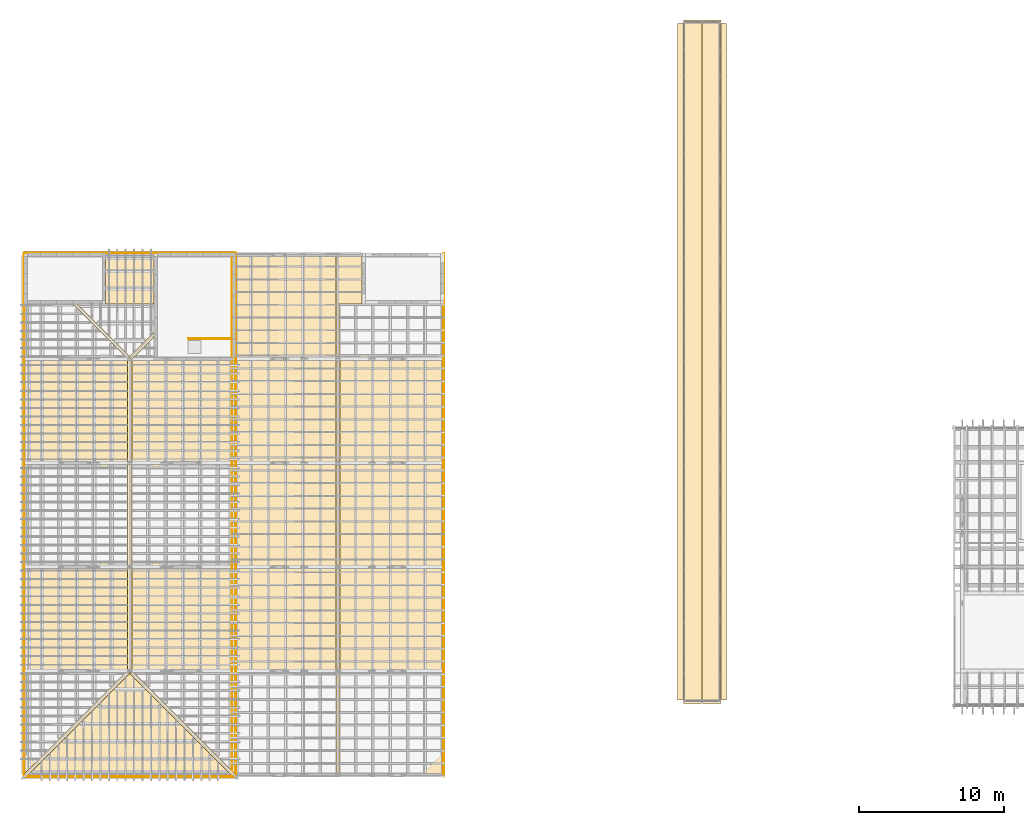
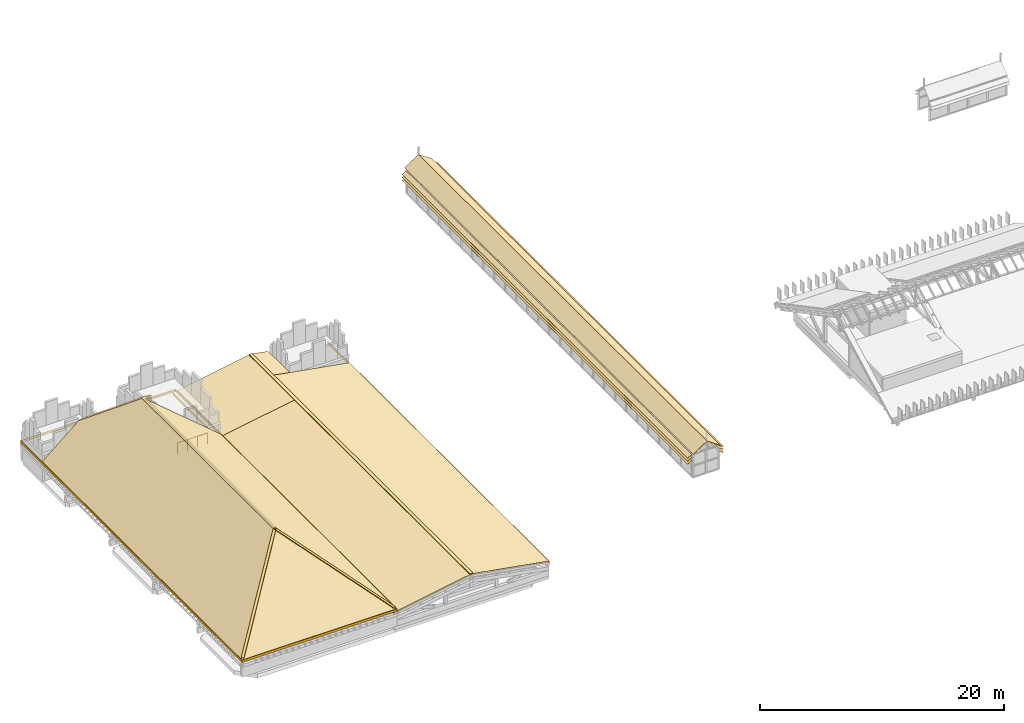
# One storey, part 23 of 28: 28 coverings, 1 railing.
"""IFC4 building model written with IfcOpenShell, lengths in metres."""

from ifc_helpers import new_model, si_unit, direction, frame, origin, origin_2d, place, context, subcontext, project, spatial, polyline, rectangle, circle, outline, extrude, material, layer, layer_set, type_object, element, save


model = new_model("IFC4")

# Units and contexts
model_context = context("Model", 3, precision=1e-05, world=origin(), true_north=direction((0.0, 1.0)))
body_context = subcontext(model_context, "Body", "Model", "MODEL_VIEW")
ifc_project = project(units=[si_unit("LENGTHUNIT", "METRE"), si_unit("AREAUNIT", "SQUARE_METRE"), si_unit("VOLUMEUNIT", "CUBIC_METRE"), si_unit("PLANEANGLEUNIT", "RADIAN"), si_unit("MASSUNIT", "GRAM", prefix="KILO")], contexts=[model_context])

# Site, building, storey
site_placement = place(None, origin())
site = spatial("IfcSite", under=ifc_project, at=site_placement, CompositionType="ELEMENT")
building_placement = place(site_placement, origin())
building = spatial("IfcBuilding", under=site, at=building_placement, Name="Mazhai Court Health Centre", CompositionType="ELEMENT")
storey_placement = place(building_placement, frame((0.0, 0.0, 18.0)))
storey = spatial("IfcBuildingStorey", under=building, at=storey_placement, Name="RF", CompositionType="ELEMENT", Elevation=18.0)

# Coverings
ifc_material_1 = material(Name="Teak timber", Category="wood")
ifc_layer_1 = layer(ifc_material_1, 0.030029296875)
ifc_layer_set_1 = layer_set([ifc_layer_1], Name="LOUVRE BLADE TEAK 30")
covering_type_1 = type_object("IfcCoveringType", Name="LOUVRE BLADE TEAK 30", PredefinedType="CLADDING", material=ifc_layer_set_1)
covering_1_placement = place(storey_placement, frame((51.705078125, 11.39990234375, 3.0791015625), z_axis=(-0.498302158208, 0.0, 0.867003436628), x_axis=(0.0, 1.0, 0.0)))
element("IfcCovering", 1, at=covering_1_placement, inside=storey, type_object=covering_type_1, Name="Lantern louvre V1A1", PredefinedType="CLADDING", context=body_context, shape_type="SweptSolid", body=[
    extrude(outline(polyline([(0.0, 0.0), (46.800048828125, 0.0), (46.800048828125, 0.4615281410316622), (0.0, 0.4615281410316622), (0.0, 0.0)])), origin(), (0.0, 0.0, -1.0), 0.030029296875),
])
covering_2_placement = place(storey_placement, frame((54.294921875, 11.39990234375, 3.0791015625), z_axis=(0.498302158208, 0.0, 0.867003436628), x_axis=(0.0, 1.0, 0.0)))
element("IfcCovering", 2, at=covering_2_placement, inside=storey, type_object=covering_type_1, Name="Lantern louvre V1B1", PredefinedType="CLADDING", context=body_context, shape_type="SweptSolid", body=[
    extrude(outline(polyline([(0.0, 0.0), (46.800048828125, 0.0), (46.800048828125, -0.4615281410316622), (0.0, -0.4615281410316622), (0.0, 0.0)])), origin(), (0.0, 0.0, -1.0), 0.030029296875),
])
covering_3_placement = place(storey_placement, frame((51.705078125, 11.39990234375, 2.779052734375), z_axis=(-0.498302158208, 0.0, 0.867003436628), x_axis=(0.0, 1.0, 0.0)))
element("IfcCovering", 3, at=covering_3_placement, inside=storey, type_object=covering_type_1, Name="Lantern louvre V1A2", PredefinedType="CLADDING", context=body_context, shape_type="SweptSolid", body=[
    extrude(outline(polyline([(0.0, 0.0), (46.800048828125, 0.0), (46.800048828125, 0.4615281410316622), (0.0, 0.4615281410316622), (0.0, 0.0)])), origin(), (0.0, 0.0, -1.0), 0.030029296875),
])
covering_4_placement = place(storey_placement, frame((54.294921875, 11.39990234375, 2.779052734375), z_axis=(0.498302158208, 0.0, 0.867003436628), x_axis=(0.0, 1.0, 0.0)))
element("IfcCovering", 4, at=covering_4_placement, inside=storey, type_object=covering_type_1, Name="Lantern louvre V1B2", PredefinedType="CLADDING", context=body_context, shape_type="SweptSolid", body=[
    extrude(outline(polyline([(0.0, 0.0), (46.800048828125, 0.0), (46.800048828125, -0.4615281410316622), (0.0, -0.4615281410316622), (0.0, 0.0)])), origin(), (0.0, 0.0, -1.0), 0.030029296875),
])
covering_5_placement = place(storey_placement, frame((51.705078125, 11.39990234375, 2.47900390625), z_axis=(-0.498302158208, 0.0, 0.867003436628), x_axis=(0.0, 1.0, 0.0)))
element("IfcCovering", 5, at=covering_5_placement, inside=storey, type_object=covering_type_1, Name="Lantern louvre V1A3", PredefinedType="CLADDING", context=body_context, shape_type="SweptSolid", body=[
    extrude(outline(polyline([(0.0, 0.0), (46.800048828125, 0.0), (46.800048828125, 0.4615281410316622), (0.0, 0.4615281410316622), (0.0, 0.0)])), origin(), (0.0, 0.0, -1.0), 0.030029296875),
])
covering_6_placement = place(storey_placement, frame((54.294921875, 11.39990234375, 2.47900390625), z_axis=(0.498302158208, 0.0, 0.867003436628), x_axis=(0.0, 1.0, 0.0)))
element("IfcCovering", 6, at=covering_6_placement, inside=storey, type_object=covering_type_1, Name="Lantern louvre V1B3", PredefinedType="CLADDING", context=body_context, shape_type="SweptSolid", body=[
    extrude(outline(polyline([(0.0, 0.0), (46.800048828125, 0.0), (46.800048828125, -0.4615281410316622), (0.0, -0.4615281410316622), (0.0, 0.0)])), origin(), (0.0, 0.0, -1.0), 0.030029296875),
])
ifc_material_2 = material(Name="Clay roof tile")
ifc_layer_2 = layer(ifc_material_2, 0.10009765625)
ifc_layer_set_2 = layer_set([ifc_layer_2], Name="ROOFING CLAY ROOF TILE 100")
covering_type_2 = type_object("IfcCoveringType", Name="ROOFING CLAY ROOF TILE 100", PredefinedType="MOLDING", material=ifc_layer_set_2)
covering_7_placement = place(storey_placement, frame((13.39990234375, 24.199951171875, 7.840087890625), z_axis=(0.0, 0.0, 1.0), x_axis=(1.0, 0.0, 0.0)))
element("IfcCovering", 7, at=covering_7_placement, inside=storey, type_object=covering_type_2, Name="Ridge cap RV2-RG1", PredefinedType="MOLDING", context=body_context, shape_type="SweptSolid", body=[
    extrude(rectangle(XDim=0.300048828125, YDim=21.60009765625, at=origin_2d()), origin(), (0.0, 0.0, 1.0), 0.10009765625),
])
ifc_material_3 = material(Name="Larch fascia board", Category="wood")
ifc_layer_3 = layer(ifc_material_3, 0.02490234375)
ifc_layer_set_3 = layer_set([ifc_layer_3], Name="ROOFING CLAY ROOF TILE 25")
covering_type_3 = type_object("IfcCoveringType", Name="ROOFING CLAY ROOF TILE 25", PredefinedType="MOLDING", material=ifc_layer_set_3)
covering_8_placement = place(storey_placement, frame((0.0, 0.0, 1.474609375)))
element("IfcCovering", 8, at=covering_8_placement, inside=storey, type_object=covering_type_3, Name="Fascia board RV2-FB1", PredefinedType="MOLDING", context=body_context, shape_type="SweptSolid", body=[
    extrude(outline(polyline([(6.10009765625, 6.080078125), (6.10009765625, 42.320068359375), (6.054931640625, 42.320068359375), (6.054931640625, 6.080078125), (6.10009765625, 6.080078125)])), origin(), (0.0, 0.0, 1.0), 0.25),
])
covering_9_placement = place(storey_placement, frame((0.0, 0.0, 1.474609375)))
element("IfcCovering", 9, at=covering_9_placement, inside=storey, type_object=covering_type_3, Name="Fascia board RV2-FB2", PredefinedType="MOLDING", context=body_context, shape_type="SweptSolid", body=[
    extrude(outline(polyline([(20.699951171875, 42.320068359375), (20.699951171875, 6.080078125), (20.7451171875, 6.080078125), (20.7451171875, 42.320068359375), (20.699951171875, 42.320068359375)])), origin(), (0.0, 0.0, 1.0), 0.25),
])
covering_10_placement = place(storey_placement, frame((0.0, 0.0, 1.474609375)))
element("IfcCovering", 10, at=covering_10_placement, inside=storey, type_object=covering_type_3, Name="Fascia board RV2-FB3", PredefinedType="MOLDING", context=body_context, shape_type="SweptSolid", body=[
    extrude(outline(polyline([(20.719970703125, 6.10009765625), (6.080078125, 6.10009765625), (6.080078125, 6.054931640625), (20.719970703125, 6.054931640625), (20.719970703125, 6.10009765625)])), origin(), (0.0, 0.0, 1.0), 0.25),
])
covering_11_placement = place(storey_placement, frame((0.0, 0.0, 1.474609375)))
element("IfcCovering", 11, at=covering_11_placement, inside=storey, type_object=covering_type_3, Name="Fascia board RV2-FB4", PredefinedType="MOLDING", context=body_context, shape_type="SweptSolid", body=[
    extrude(outline(polyline([(6.080078125, 42.300048828125), (20.719970703125, 42.300048828125), (20.719970703125, 42.344970703125), (6.080078125, 42.344970703125), (6.080078125, 42.300048828125)])), origin(), (0.0, 0.0, 1.0), 0.25),
])
ifc_material_4 = material(Name="Clay roof tile")
ifc_layer_4 = layer(ifc_material_4, 0.030029296875)
ifc_layer_set_4 = layer_set([ifc_layer_4], Name="ROOFING CLAY ROOF TILE 30")
covering_type_4 = type_object("IfcCoveringType", Name="ROOFING CLAY ROOF TILE 30", PredefinedType="ROOFING", material=ifc_layer_set_4)
covering_12_placement = place(storey_placement, frame((20.63623046875, 6.080078125, 1.724609375), z_axis=(0.0, -0.644962715846, 0.764214037537), x_axis=(-0.607216418944, 0.60719593256, 0.512446407)))
element("IfcCovering", 12, at=covering_12_placement, inside=storey, type_object=covering_type_4, Name="Roof covering RV2-RC3", PredefinedType="ROOFING", context=body_context, shape_type="SweptSolid", body=[
    extrude(outline(polyline([(0.0, 0.0), (11.917214191247329, 8.881784197001252e-16), (8.787886254539117, 11.498859397386623), (0.0, 0.0)])), origin(), (0.0, 0.0, -1.0), 0.030029296875),
])
covering_13_placement = place(storey_placement, frame((20.719970703125, 6.163818359375, 1.724609375), z_axis=(0.644962715846, 0.0, 0.764214037537), x_axis=(-0.60720348589, 0.60720348589, 0.512452781675)))
element("IfcCovering", 13, at=covering_13_placement, inside=storey, type_object=covering_type_4, Name="Roof covering RV2-RC2", PredefinedType="ROOFING", context=body_context, shape_type="SweptSolid", body=[
    extrude(outline(polyline([(0.0, 0.0), (11.917065946630029, -8.881784197001252e-16), (24.95682010333362, -17.06296078874372), (17.433529576209036, -22.812365018042453), (0.0, 0.0)])), origin(), (0.0, 0.0, -1.0), 0.030029296875),
])
covering_14_placement = place(storey_placement, frame((13.316162109375, 35.0, 7.83154296875), z_axis=(-0.644963505128, -2.566703e-06, 0.764213371413), x_axis=(1.65543e-06, -0.999999999997, -1.961509e-06)))
element("IfcCovering", 14, at=covering_14_placement, inside=storey, type_object=covering_type_4, Name="Roof covering RV2-RC1", PredefinedType="ROOFING", context=body_context, shape_type="SweptSolid", body=[
    extrude(outline(polyline([(0.0, 0.0), (21.60009765617885, 0.0), (28.836181640504915, -9.468661433766922), (-3.810058593762551, -9.468661433766922), (-3.8100585941199236, -4.985469540252497), (0.0, 0.0)])), origin(), (0.0, 0.0, -1.0), 0.030029296875),
])
covering_15_placement = place(storey_placement, frame((15.074951171875, 42.320068359375, 1.724609375), z_axis=(0.0, 0.644945652145, 0.764228438217), x_axis=(0.0, -0.764228438217, 0.644945652145)))
element("IfcCovering", 15, at=covering_15_placement, inside=storey, type_object=covering_type_4, Name="Roof covering RV2-RC4", PredefinedType="ROOFING", context=body_context, shape_type="SweptSolid", body=[
    extrude(outline(polyline([(0.0, 0.0), (4.592880335380358, 0.0), (4.592880335380358, -3.349853515625), (0.0, -3.349853515625), (0.0, 0.0)])), origin(), (0.0, 0.0, -1.0), 0.030029296875),
])
ifc_material_5 = material(Name="Clay roof tile")
ifc_layer_5 = layer(ifc_material_5, 0.070068359375)
ifc_layer_set_5 = layer_set([ifc_layer_5], Name="ROOFING CLAY ROOF TILE 70")
covering_type_5 = type_object("IfcCoveringType", Name="ROOFING CLAY ROOF TILE 70", PredefinedType="MOLDING", material=ifc_layer_set_5)
for number, where, z_axis, x_axis, name in (
    (16, (6.302734375, 6.133056640625, 1.86083984375), (-0.362353608464, -0.362353608464, 0.858719817441), (0.607206606052, 0.607206606052, 0.512445387465), "Hip cap RV2-HC1"),
    (17, (20.6669921875, 6.302734375, 1.86083984375), (0.362353608464, -0.362353608464, 0.858719817441), (-0.607206606052, 0.607206606052, 0.512445387465), "Hip cap RV2-HC3"),
):
    element("IfcCovering", number, at=place(storey_placement, frame(where, z_axis=z_axis, x_axis=x_axis)), inside=storey, type_object=covering_type_5, Name=name, PredefinedType="MOLDING", context=body_context, shape_type="SweptSolid", body=[
        extrude(outline(polyline([(0.0, 0.0), (11.828146852601598, 0.0), (11.828146852601598, 0.23996055318586507), (0.0, 0.23996055318586454), (0.0, 0.0)])), origin(), (0.0, 0.0, -1.0), 0.070068359375),
    ])
covering_16_placement = place(storey_placement, frame((13.48486328125, 34.9150390625, 7.922119140625), z_axis=(0.362645641845, 0.362056444631, 0.858721881259), x_axis=(-0.706580765819, 0.707632404331, 4.1413779e-05)))
element("IfcCovering", 18, at=covering_16_placement, inside=storey, type_object=covering_type_5, Name="Hip cap RV2-HC4", PredefinedType="MOLDING", context=body_context, shape_type="SweptSolid", body=[
    extrude(outline(polyline([(0.0, 0.0), (0.24013324845183354, 2.7755575615628914e-17), (0.2419223818451876, -2.898118521254621), (0.0017893804911958233, -2.618894109187146), (0.0, 0.0)])), origin(), (0.0, 0.0, -1.0), 0.070068359375),
])
covering_17_placement = place(storey_placement, frame((13.48486328125, 35.0849609375, 7.922119140625), z_axis=(-0.362315904024, 0.362379042166, 0.858724994099), x_axis=(-0.706747965558, -0.707465325918, 0.000354687608)))
element("IfcCovering", 19, at=covering_17_placement, inside=storey, type_object=covering_type_5, Name="Hip cap RV2-HC2", PredefinedType="MOLDING", context=body_context, shape_type="SweptSolid", body=[
    extrude(outline(polyline([(0.0, 0.0), (0.24013322824750266, -4.163336342344337e-17), (0.23600073937652735, -6.414352537386628), (-0.0037873038821062788, -6.134831848992305), (0.0, 0.0)])), origin(), (0.0, 0.0, -1.0), 0.070068359375),
])
ifc_material_6 = material(Name="Single-ply roof membrane")
ifc_layer_6 = layer(ifc_material_6, 0.10009765625)
ifc_layer_set_6 = layer_set([ifc_layer_6], Name="ROOFING SINGLE-PLY ROOF MEMBRANE 100")
covering_type_6 = type_object("IfcCoveringType", Name="ROOFING SINGLE-PLY ROOF MEMBRANE 100", PredefinedType="MOLDING", material=ifc_layer_set_6)
covering_18_placement = place(storey_placement, frame((27.800048828125, 24.199951171875, 2.67724609375), z_axis=(0.0, 0.0, 1.0), x_axis=(1.0, 0.0, 0.0)))
element("IfcCovering", 20, at=covering_18_placement, inside=storey, type_object=covering_type_6, Name="Ridge cap RV5-RG1", PredefinedType="MOLDING", context=body_context, shape_type="SweptSolid", body=[
    extrude(rectangle(XDim=0.300048828125, YDim=36.239990234375, at=origin_2d()), origin(), (0.0, 0.0, 1.0), 0.10009765625),
])
ifc_material_7 = material(Name="Single-ply roof membrane")
ifc_layer_7 = layer(ifc_material_7, 0.014892578125)
ifc_layer_set_7 = layer_set([ifc_layer_7], Name="ROOFING SINGLE-PLY ROOF MEMBRANE 15")
covering_type_7 = type_object("IfcCoveringType", Name="ROOFING SINGLE-PLY ROOF MEMBRANE 15", PredefinedType="ROOFING", material=ifc_layer_set_7)
covering_19_placement = place(storey_placement, frame((27.780029296875, 6.080078125, 2.735595703125), z_axis=(-0.173636900334, 0.0, 0.984809741444), x_axis=(-0.984809741444, 0.0, -0.173636900334)))
element("IfcCovering", 21, at=covering_19_placement, inside=storey, type_object=covering_type_7, Name="Roof covering RV5-RC1", PredefinedType="ROOFING", context=body_context, shape_type="SweptSolid", body=[
    extrude(outline(polyline([(0.0, 0.0), (7.412648881217974, 0.0), (7.412648881217974, -28.794921875), (0.0, -28.794921875), (0.0, 0.0)])), origin(), (0.0, 0.0, -1.0), 0.014892578125),
])
covering_20_placement = place(storey_placement, frame((27.780029296875, 42.320068359375, 2.735595703125), z_axis=(-0.173637575732, 0.0, 0.984809622361), x_axis=(0.0, -1.0, 0.0)))
element("IfcCovering", 22, at=covering_20_placement, inside=storey, type_object=covering_type_7, Name="Roof covering RV5-RC1", PredefinedType="ROOFING", context=body_context, shape_type="SweptSolid", body=[
    extrude(outline(polyline([(0.0, 0.0), (7.445068359375, 0.0), (7.445068359375, -7.16375173479178), (0.0, -7.16375173479178), (0.0, 0.0)])), origin(), (0.0, 0.0, -1.0), 0.014892578125),
])
covering_21_placement = place(storey_placement, frame((35.1201171875, 6.080078125, 1.448486328125), z_axis=(0.173636900334, 0.0, 0.984809741444), x_axis=(-0.984809741444, 0.0, 0.173636900334)))
element("IfcCovering", 23, at=covering_21_placement, inside=storey, type_object=covering_type_7, Name="Roof covering RV5-RC2", PredefinedType="ROOFING", context=body_context, shape_type="SweptSolid", body=[
    extrude(outline(polyline([(0.0, 0.0), (7.412648881217974, 0.0), (7.412648881217974, -32.72998046874999), (0.0, -32.72998046874999), (0.0, 0.0)])), origin(), (0.0, 0.0, -1.0), 0.014892578125),
])
covering_22_placement = place(storey_placement, frame((27.820068359375, 42.320068359375, 2.735595703125), z_axis=(0.17360300658, 0.0, 0.984815716825), x_axis=(0.984815716825, 0.0, -0.17360300658)))
element("IfcCovering", 24, at=covering_22_placement, inside=storey, type_object=covering_type_7, Name="Roof covering RV5-RC2", PredefinedType="ROOFING", context=body_context, shape_type="SweptSolid", body=[
    extrude(outline(polyline([(0.0, 0.0), (1.6805472014703824, 0.0), (1.6805472014703824, -3.510009765625001), (0.0, -3.510009765625001), (0.0, 0.0)])), origin(), (0.0, 0.0, -1.0), 0.014892578125),
])
ifc_material_8 = material(Name="Larch fascia board", Category="wood")
ifc_layer_8 = layer(ifc_material_8, 0.02490234375)
ifc_layer_set_8 = layer_set([ifc_layer_8], Name="ROOFING SINGLE-PLY ROOF MEMBRANE 25")
covering_type_8 = type_object("IfcCoveringType", Name="ROOFING SINGLE-PLY ROOF MEMBRANE 25", PredefinedType="MOLDING", material=ifc_layer_set_8)
covering_23_placement = place(storey_placement, frame((0.0, 0.0, 1.198486328125)))
element("IfcCovering", 25, at=covering_23_placement, inside=storey, type_object=covering_type_8, Name="Fascia board RV5-FB1", PredefinedType="MOLDING", context=body_context, shape_type="SweptSolid", body=[
    extrude(outline(polyline([(20.5, 6.080078125), (20.5, 42.320068359375), (20.455078125, 42.320068359375), (20.455078125, 6.080078125), (20.5, 6.080078125)])), origin(), (0.0, 0.0, 1.0), 0.25),
])
covering_24_placement = place(storey_placement, frame((0.0, 0.0, 1.198486328125)))
element("IfcCovering", 26, at=covering_24_placement, inside=storey, type_object=covering_type_8, Name="Fascia board RV5-FB2", PredefinedType="MOLDING", context=body_context, shape_type="SweptSolid", body=[
    extrude(outline(polyline([(35.10009765625, 42.320068359375), (35.10009765625, 6.080078125), (35.14501953125, 6.080078125), (35.14501953125, 42.320068359375), (35.10009765625, 42.320068359375)])), origin(), (0.0, 0.0, 1.0), 0.25),
])
ifc_material_9 = material(Name="Zinc standing-seam sheet")
ifc_layer_9 = layer(ifc_material_9, 0.030029296875)
ifc_layer_set_9 = layer_set([ifc_layer_9], Name="ROOFING ZINC 30 LANTERN")
covering_type_9 = type_object("IfcCoveringType", Name="ROOFING ZINC 30 LANTERN", PredefinedType="ROOFING", material=ifc_layer_set_9)
for number, where, z_axis, x_axis, name in (
    (27, (51.699951171875, 11.14990234375, 3.22900390625), (-0.569153772407, 0.0, 0.822231100941), (0.822231100941, 0.0, 0.569153772407), "Lantern roof V1A"),
    (28, (54.300048828125, 58.449951171875, 3.22900390625), (0.569153772407, 0.0, 0.822231100941), (-0.822231100941, 0.0, 0.569153772407), "Lantern roof V1B"),
):
    element("IfcCovering", number, at=place(storey_placement, frame(where, z_axis=z_axis, x_axis=x_axis)), inside=storey, type_object=covering_type_9, Name=name, PredefinedType="ROOFING", context=body_context, shape_type="SweptSolid", body=[
        extrude(outline(polyline([(0.0, 0.0), (1.5811233929696726, 0.0), (1.5811233929696726, 47.300048828125), (0.0, 47.300048828125), (0.0, 0.0)])), origin(), (0.0, 0.0, -1.0), 0.030029296875),
    ])

# Railing
ifc_material_10 = material(Name="Steel IS 2062 E250", Category="steel")
railing_type = type_object("IfcRailingType", Name="STAIR GUARD 1100", PredefinedType="GUARDRAIL", material=ifc_material_10)
railing_placement = place(storey_placement, frame((20.304931640625, 36.385009765625, 0.0)))
element("IfcRailing", 29, at=railing_placement, inside=storey, type_object=railing_type, Name="RF ST3 top well guard 1", PredefinedType="GUARDRAIL", context=body_context, shape_type="SweptSolid", body=[
    extrude(circle(Radius=0.02392578125, at=origin_2d()), frame((0.0, 0.0, 1.076171875), z_axis=(-1.0, 0.0, 0.0), x_axis=(0.0, -1.0, 0.0)), (0.0, 0.0, 1.0), 2.849853515625),
    extrude(circle(Radius=0.02099609375, at=origin_2d()), origin(), (0.0, 0.0, 1.0), 1.052001953125),
    extrude(circle(Radius=0.02099609375, at=origin_2d()), frame((-0.949951171875, 0.0, 0.0)), (0.0, 0.0, 1.0), 1.052001953125),
    extrude(circle(Radius=0.02099609375, at=origin_2d()), frame((-1.89990234375, 0.0, 0.0)), (0.0, 0.0, 1.0), 1.052001953125),
    extrude(circle(Radius=0.02099609375, at=origin_2d()), frame((-2.849853515625, 0.0, 0.0)), (0.0, 0.0, 1.0), 1.052001953125),
])

save(model, "model.ifc")
